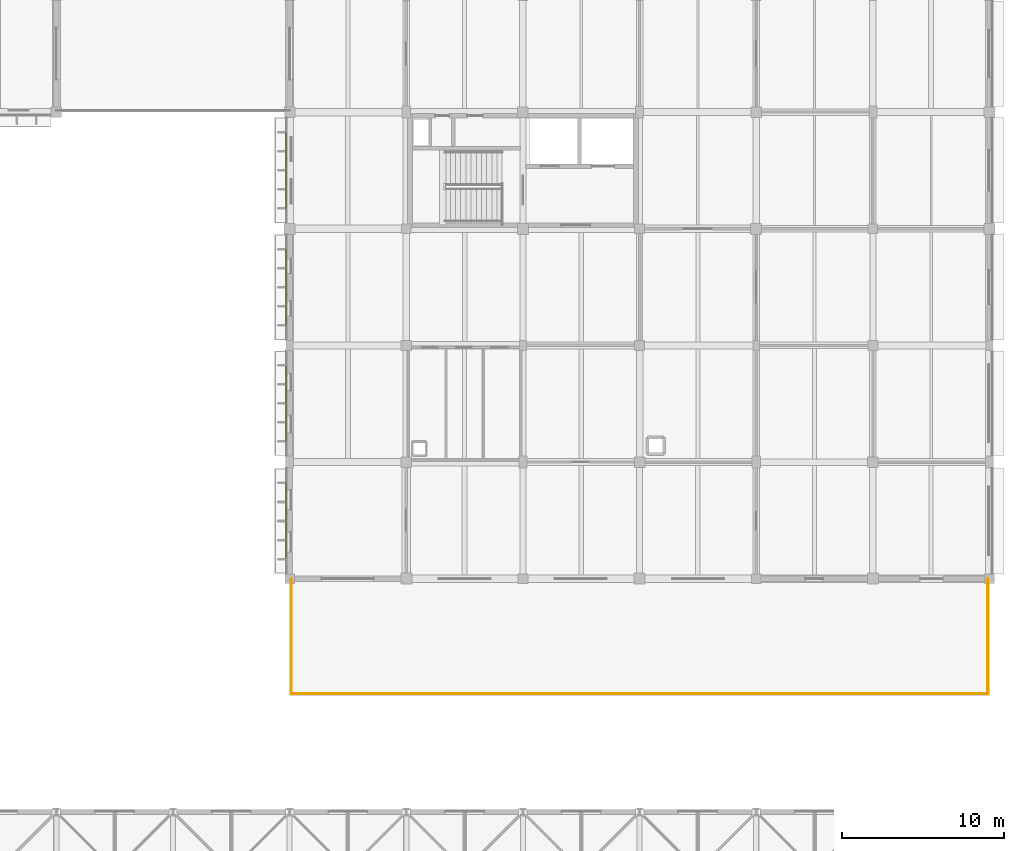
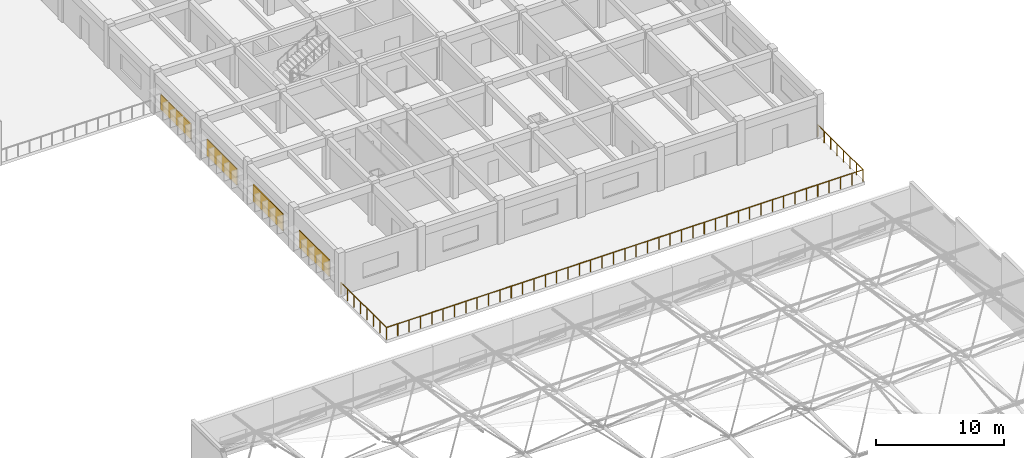
# One storey, part 102 of 103: 8 railings, 4 shading devices.
"""IFC4 building model written with IfcOpenShell, lengths in metres."""

from ifc_helpers import new_model, si_unit, direction, frame, origin, origin_2d, place, context, subcontext, project, spatial, rectangle, circle, extrude, material, layer, layer_set, type_object, element, save


model = new_model("IFC4")

# Units and contexts
model_context = context("Model", 3, precision=1e-05, world=origin(), true_north=direction((0.0, 1.0)))
body_context = subcontext(model_context, "Body", "Model", "MODEL_VIEW")
ifc_project = project(units=[si_unit("LENGTHUNIT", "METRE"), si_unit("AREAUNIT", "SQUARE_METRE"), si_unit("VOLUMEUNIT", "CUBIC_METRE"), si_unit("PLANEANGLEUNIT", "RADIAN"), si_unit("MASSUNIT", "GRAM", prefix="KILO")], contexts=[model_context])

# Site, building, storey
site_placement = place(None, origin())
site = spatial("IfcSite", under=ifc_project, at=site_placement, CompositionType="ELEMENT")
building_placement = place(site_placement, origin())
building = spatial("IfcBuilding", under=site, at=building_placement, Name="Thalmaran Polytechnic", CompositionType="ELEMENT")
storey_placement = place(building_placement, frame((0.0, 0.0, 14.39990234375)))
storey = spatial("IfcBuildingStorey", under=building, at=storey_placement, Name="L03", CompositionType="ELEMENT", Elevation=14.39990234375)

# Railings
ifc_material_1 = material(Name="Stainless steel 316 and laminated glass", Category="steel")
railing_type = type_object("IfcRailingType", Name="RL-BL01", PredefinedType="BALUSTRADE", material=ifc_material_1)
railing_1_placement = place(storey_placement, frame((172.699951171875, 64.7900390625, 0.0)))
element("IfcRailing", 1, at=railing_1_placement, inside=storey, type_object=railing_type, Name="Terrace Balustrade Guard L03-3-7", PredefinedType="BALUSTRADE", context=body_context, shape_type="SweptSolid", body=[
    extrude(circle(Radius=0.02392578125, at=origin_2d()), frame((0.0, 0.0, 1.1259765625), z_axis=(0.0, -1.0, 0.0), x_axis=(1.0, 0.0, 0.0)), (0.0, 0.0, 1.0), 7.090087890625),
    extrude(circle(Radius=0.02099609375, at=origin_2d()), origin(), (0.0, 0.0, 1.0), 1.101806640625),
    extrude(circle(Radius=0.02099609375, at=origin_2d()), frame((0.0, -1.012939453125, 0.0)), (0.0, 0.0, 1.0), 1.101806640625),
    extrude(circle(Radius=0.02099609375, at=origin_2d()), frame((0.0, -2.025634765625, 0.0)), (0.0, 0.0, 1.0), 1.101806640625),
    extrude(circle(Radius=0.02099609375, at=origin_2d()), frame((0.0, -3.03857421875, 0.0)), (0.0, 0.0, 1.0), 1.101806640625),
    extrude(circle(Radius=0.02099609375, at=origin_2d()), frame((0.0, -4.051513671875, 0.0)), (0.0, 0.0, 1.0), 1.101806640625),
    extrude(circle(Radius=0.02099609375, at=origin_2d()), frame((0.0, -5.064453125, 0.0)), (0.0, 0.0, 1.0), 1.101806640625),
    extrude(circle(Radius=0.02099609375, at=origin_2d()), frame((0.0, -6.0771484375, 0.0)), (0.0, 0.0, 1.0), 1.101806640625),
    extrude(circle(Radius=0.02099609375, at=origin_2d()), frame((0.0, -7.090087890625, 0.0)), (0.0, 0.0, 1.0), 1.101806640625),
])
railing_2_placement = place(storey_placement, frame((172.699951171875, 57.699951171875, 0.0)))
element("IfcRailing", 2, at=railing_2_placement, inside=storey, type_object=railing_type, Name="Terrace Balustrade Guard L03-3-8", PredefinedType="BALUSTRADE", context=body_context, shape_type="SweptSolid", body=[
    extrude(circle(Radius=0.02392578125, at=origin_2d()), frame((0.0, 0.0, 1.1259765625), z_axis=(-1.0, 0.0, 0.0), x_axis=(0.0, -1.0, 0.0)), (0.0, 0.0, 1.0), 7.16650390625),
    extrude(circle(Radius=0.02099609375, at=origin_2d()), origin(), (0.0, 0.0, 1.0), 1.101806640625),
    extrude(circle(Radius=0.02099609375, at=origin_2d()), frame((-1.023681640625, 0.0, 0.0)), (0.0, 0.0, 1.0), 1.101806640625),
    extrude(circle(Radius=0.02099609375, at=origin_2d()), frame((-2.047607421875, 0.0, 0.0)), (0.0, 0.0, 1.0), 1.101806640625),
    extrude(circle(Radius=0.02099609375, at=origin_2d()), frame((-3.0712890625, 0.0, 0.0)), (0.0, 0.0, 1.0), 1.101806640625),
    extrude(circle(Radius=0.02099609375, at=origin_2d()), frame((-4.09521484375, 0.0, 0.0)), (0.0, 0.0, 1.0), 1.101806640625),
    extrude(circle(Radius=0.02099609375, at=origin_2d()), frame((-5.118896484375, 0.0, 0.0)), (0.0, 0.0, 1.0), 1.101806640625),
    extrude(circle(Radius=0.02099609375, at=origin_2d()), frame((-6.142822265625, 0.0, 0.0)), (0.0, 0.0, 1.0), 1.101806640625),
    extrude(circle(Radius=0.02099609375, at=origin_2d()), frame((-7.16650390625, 0.0, 0.0)), (0.0, 0.0, 1.0), 1.101806640625),
])
for number, where, name in (
    (3, (165.533447265625, 57.699951171875, 0.0), "Terrace Balustrade Guard L03-3-9"),
    (4, (158.36669921875, 57.699951171875, 0.0), "Terrace Balustrade Guard L03-3-10"),
):
    element("IfcRailing", number, at=place(storey_placement, frame(where)), inside=storey, type_object=railing_type, Name=name, PredefinedType="BALUSTRADE", context=body_context, shape_type="SweptSolid", body=[
        extrude(circle(Radius=0.02392578125, at=origin_2d()), frame((0.0, 0.0, 1.1259765625), z_axis=(-1.0, 0.0, 0.0), x_axis=(0.0, -1.0, 0.0)), (0.0, 0.0, 1.0), 7.166748046875),
        extrude(circle(Radius=0.02099609375, at=origin_2d()), origin(), (0.0, 0.0, 1.0), 1.101806640625),
        extrude(circle(Radius=0.02099609375, at=origin_2d()), frame((-1.02392578125, 0.0, 0.0)), (0.0, 0.0, 1.0), 1.101806640625),
        extrude(circle(Radius=0.02099609375, at=origin_2d()), frame((-2.047607421875, 0.0, 0.0)), (0.0, 0.0, 1.0), 1.101806640625),
        extrude(circle(Radius=0.02099609375, at=origin_2d()), frame((-3.071533203125, 0.0, 0.0)), (0.0, 0.0, 1.0), 1.101806640625),
        extrude(circle(Radius=0.02099609375, at=origin_2d()), frame((-4.09521484375, 0.0, 0.0)), (0.0, 0.0, 1.0), 1.101806640625),
        extrude(circle(Radius=0.02099609375, at=origin_2d()), frame((-5.119140625, 0.0, 0.0)), (0.0, 0.0, 1.0), 1.101806640625),
        extrude(circle(Radius=0.02099609375, at=origin_2d()), frame((-6.142822265625, 0.0, 0.0)), (0.0, 0.0, 1.0), 1.101806640625),
        extrude(circle(Radius=0.02099609375, at=origin_2d()), frame((-7.166748046875, 0.0, 0.0)), (0.0, 0.0, 1.0), 1.101806640625),
    ])
railing_3_placement = place(storey_placement, frame((151.199951171875, 57.699951171875, 0.0)))
element("IfcRailing", 5, at=railing_3_placement, inside=storey, type_object=railing_type, Name="Terrace Balustrade Guard L03-3-11", PredefinedType="BALUSTRADE", context=body_context, shape_type="SweptSolid", body=[
    extrude(circle(Radius=0.02392578125, at=origin_2d()), frame((0.0, 0.0, 1.1259765625), z_axis=(-1.0, 0.0, 0.0), x_axis=(0.0, -1.0, 0.0)), (0.0, 0.0, 1.0), 7.16650390625),
    extrude(circle(Radius=0.02099609375, at=origin_2d()), origin(), (0.0, 0.0, 1.0), 1.101806640625),
    extrude(circle(Radius=0.02099609375, at=origin_2d()), frame((-1.023681640625, 0.0, 0.0)), (0.0, 0.0, 1.0), 1.101806640625),
    extrude(circle(Radius=0.02099609375, at=origin_2d()), frame((-2.047607421875, 0.0, 0.0)), (0.0, 0.0, 1.0), 1.101806640625),
    extrude(circle(Radius=0.02099609375, at=origin_2d()), frame((-3.0712890625, 0.0, 0.0)), (0.0, 0.0, 1.0), 1.101806640625),
    extrude(circle(Radius=0.02099609375, at=origin_2d()), frame((-4.09521484375, 0.0, 0.0)), (0.0, 0.0, 1.0), 1.101806640625),
    extrude(circle(Radius=0.02099609375, at=origin_2d()), frame((-5.118896484375, 0.0, 0.0)), (0.0, 0.0, 1.0), 1.101806640625),
    extrude(circle(Radius=0.02099609375, at=origin_2d()), frame((-6.142822265625, 0.0, 0.0)), (0.0, 0.0, 1.0), 1.101806640625),
    extrude(circle(Radius=0.02099609375, at=origin_2d()), frame((-7.16650390625, 0.0, 0.0)), (0.0, 0.0, 1.0), 1.101806640625),
])
for number, where, name in (
    (6, (144.033447265625, 57.699951171875, 0.0), "Terrace Balustrade Guard L03-3-12"),
    (7, (136.86669921875, 57.699951171875, 0.0), "Terrace Balustrade Guard L03-3-13"),
):
    element("IfcRailing", number, at=place(storey_placement, frame(where)), inside=storey, type_object=railing_type, Name=name, PredefinedType="BALUSTRADE", context=body_context, shape_type="SweptSolid", body=[
        extrude(circle(Radius=0.02392578125, at=origin_2d()), frame((0.0, 0.0, 1.1259765625), z_axis=(-1.0, 0.0, 0.0), x_axis=(0.0, -1.0, 0.0)), (0.0, 0.0, 1.0), 7.166748046875),
        extrude(circle(Radius=0.02099609375, at=origin_2d()), origin(), (0.0, 0.0, 1.0), 1.101806640625),
        extrude(circle(Radius=0.02099609375, at=origin_2d()), frame((-1.02392578125, 0.0, 0.0)), (0.0, 0.0, 1.0), 1.101806640625),
        extrude(circle(Radius=0.02099609375, at=origin_2d()), frame((-2.047607421875, 0.0, 0.0)), (0.0, 0.0, 1.0), 1.101806640625),
        extrude(circle(Radius=0.02099609375, at=origin_2d()), frame((-3.071533203125, 0.0, 0.0)), (0.0, 0.0, 1.0), 1.101806640625),
        extrude(circle(Radius=0.02099609375, at=origin_2d()), frame((-4.09521484375, 0.0, 0.0)), (0.0, 0.0, 1.0), 1.101806640625),
        extrude(circle(Radius=0.02099609375, at=origin_2d()), frame((-5.119140625, 0.0, 0.0)), (0.0, 0.0, 1.0), 1.101806640625),
        extrude(circle(Radius=0.02099609375, at=origin_2d()), frame((-6.142822265625, 0.0, 0.0)), (0.0, 0.0, 1.0), 1.101806640625),
        extrude(circle(Radius=0.02099609375, at=origin_2d()), frame((-7.166748046875, 0.0, 0.0)), (0.0, 0.0, 1.0), 1.101806640625),
    ])
railing_4_placement = place(storey_placement, frame((129.699951171875, 57.699951171875, 0.0)))
element("IfcRailing", 8, at=railing_4_placement, inside=storey, type_object=railing_type, Name="Terrace Balustrade Guard L03-3-14", PredefinedType="BALUSTRADE", context=body_context, shape_type="SweptSolid", body=[
    extrude(circle(Radius=0.02392578125, at=origin_2d()), frame((0.0, 0.0, 1.1259765625), z_axis=(0.0, 1.0, 0.0), x_axis=(-1.0, 0.0, 0.0)), (0.0, 0.0, 1.0), 7.090087890625),
    extrude(circle(Radius=0.02099609375, at=origin_2d()), origin(), (0.0, 0.0, 1.0), 1.101806640625),
    extrude(circle(Radius=0.02099609375, at=origin_2d()), frame((0.0, 1.012939453125, 0.0)), (0.0, 0.0, 1.0), 1.101806640625),
    extrude(circle(Radius=0.02099609375, at=origin_2d()), frame((0.0, 2.025634765625, 0.0)), (0.0, 0.0, 1.0), 1.101806640625),
    extrude(circle(Radius=0.02099609375, at=origin_2d()), frame((0.0, 3.03857421875, 0.0)), (0.0, 0.0, 1.0), 1.101806640625),
    extrude(circle(Radius=0.02099609375, at=origin_2d()), frame((0.0, 4.051513671875, 0.0)), (0.0, 0.0, 1.0), 1.101806640625),
    extrude(circle(Radius=0.02099609375, at=origin_2d()), frame((0.0, 5.064453125, 0.0)), (0.0, 0.0, 1.0), 1.101806640625),
    extrude(circle(Radius=0.02099609375, at=origin_2d()), frame((0.0, 6.0771484375, 0.0)), (0.0, 0.0, 1.0), 1.101806640625),
    extrude(circle(Radius=0.02099609375, at=origin_2d()), frame((0.0, 7.090087890625, 0.0)), (0.0, 0.0, 1.0), 1.101806640625),
])

# Shading devices
ifc_material_2 = material(Name="Perforated anodised-bronze aluminium screen", Category="aluminium")
ifc_layer = layer(ifc_material_2, 0.080078125, Name="Perforated anodised-bronze aluminium screen")
ifc_layer_set = layer_set([ifc_layer], Name="Perforated anodised-bronze aluminium screen")
shading_device_type = type_object("IfcShadingDeviceType", Name="SH-JL01", PredefinedType="JALOUSIE", material=ifc_layer_set)
shading_device_1_placement = place(storey_placement, frame((129.3798828125, 68.39990234375, 1.025146484375), z_axis=(0.0, 0.0, 1.0), x_axis=(0.0, 1.0, 0.0)))
element("IfcShadingDevice", 9, at=shading_device_1_placement, inside=storey, type_object=shading_device_type, Name="Anodised-Bronze Mashrabiya Solar Screen L03-024", PredefinedType="JALOUSIE", context=body_context, shape_type="SweptSolid", body=[
    extrude(rectangle(XDim=4.697998046875, YDim=0.080078125, at=origin_2d()), origin(), (0.0, 0.0, 1.0), 1.60009765625),
])
shading_device_2_placement = place(storey_placement, frame((129.3798828125, 75.60009765625, 1.025146484375), z_axis=(0.0, 0.0, 1.0), x_axis=(0.0, 1.0, 0.0)))
element("IfcShadingDevice", 10, at=shading_device_2_placement, inside=storey, type_object=shading_device_type, Name="Anodised-Bronze Mashrabiya Solar Screen L03-025", PredefinedType="JALOUSIE", context=body_context, shape_type="SweptSolid", body=[
    extrude(rectangle(XDim=4.68359375, YDim=0.080078125, at=origin_2d()), origin(), (0.0, 0.0, 1.0), 1.60009765625),
])
shading_device_3_placement = place(storey_placement, frame((129.3798828125, 82.800048828125, 1.02490234375), z_axis=(0.0, 0.0, 1.0), x_axis=(0.0, 1.0, 0.0)))
element("IfcShadingDevice", 11, at=shading_device_3_placement, inside=storey, type_object=shading_device_type, Name="Anodised-Bronze Mashrabiya Solar Screen L03-026", PredefinedType="JALOUSIE", context=body_context, shape_type="SweptSolid", body=[
    extrude(rectangle(XDim=4.708740234375, YDim=0.080078125, at=origin_2d()), origin(), (0.0, 0.0, 1.0), 1.550048828125),
])
shading_device_4_placement = place(storey_placement, frame((129.3798828125, 90.0, 1.02490234375), z_axis=(0.0, 0.0, 1.0), x_axis=(0.0, 1.0, 0.0)))
element("IfcShadingDevice", 12, at=shading_device_4_placement, inside=storey, type_object=shading_device_type, Name="Anodised-Bronze Mashrabiya Solar Screen L03-027", PredefinedType="JALOUSIE", context=body_context, shape_type="SweptSolid", body=[
    extrude(rectangle(XDim=4.705078125, YDim=0.080078125, at=origin_2d()), origin(), (0.0, 0.0, 1.0), 1.449951171875),
])

save(model, "model.ifc")
